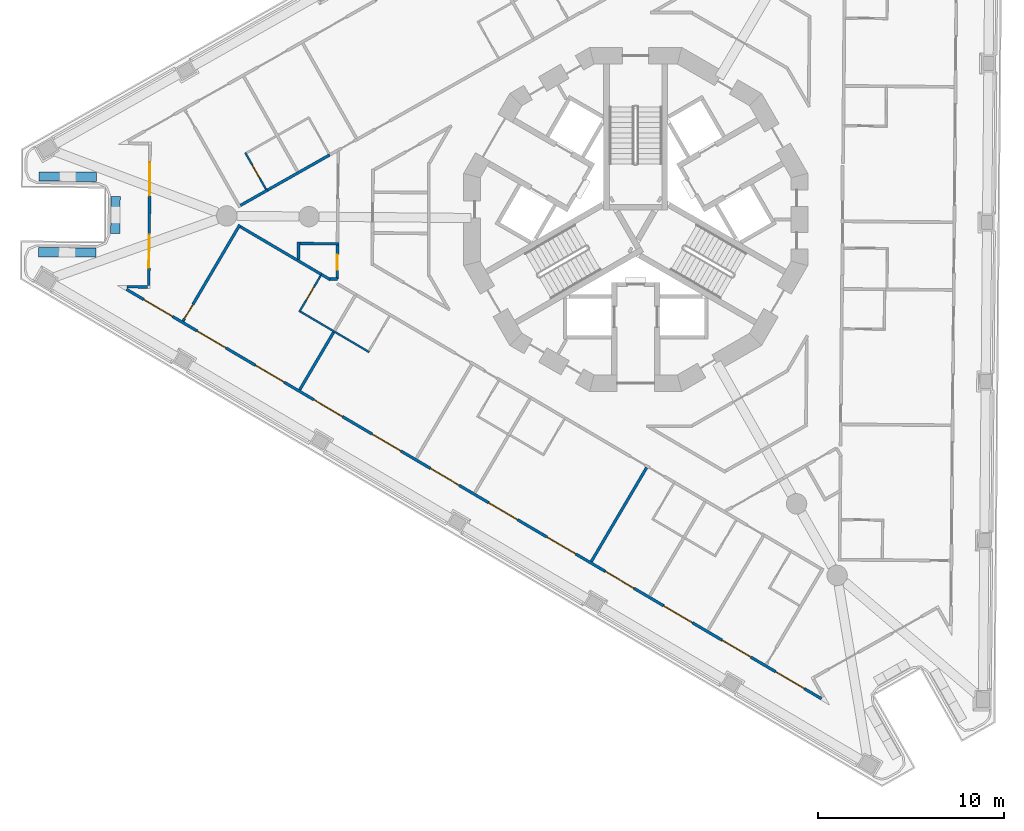
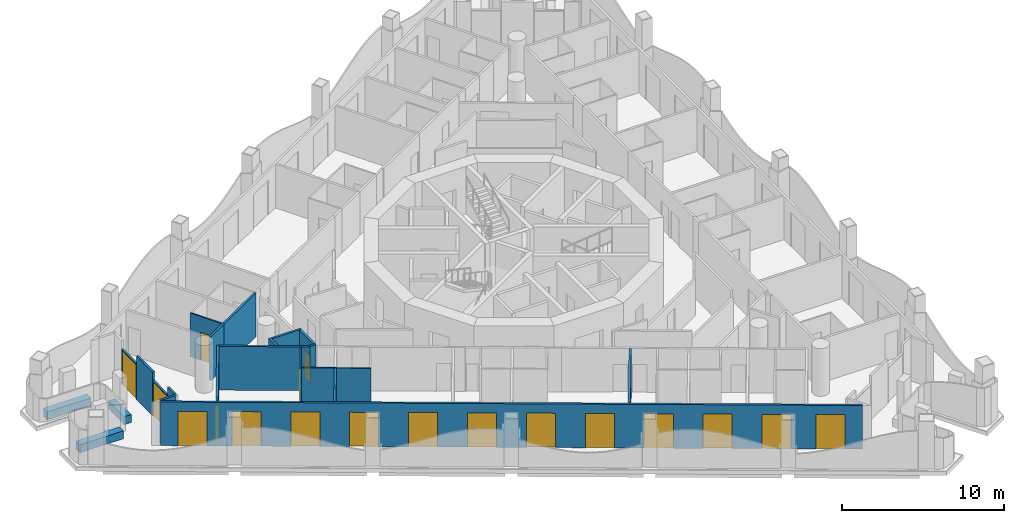
# One storey, part 2 of 17: 23 walls, 18 doors, 18 openings.
"""IFC4 building model written with IfcOpenShell, lengths in metres."""

from ifc_helpers import new_model, si_unit, direction, frame, frame_2d, origin, place, context, subcontext, project, spatial, polyline, rectangle, outline, extrude, material, layer, layer_set, type_object, element, fill, save


model = new_model("IFC4")

# Units and contexts
model_context = context("Model", 3, precision=1e-05, world=origin(), true_north=direction((0.0, 1.0)))
body_context = subcontext(model_context, "Body", "Model", "MODEL_VIEW")
ifc_project = project(units=[si_unit("LENGTHUNIT", "METRE"), si_unit("AREAUNIT", "SQUARE_METRE"), si_unit("VOLUMEUNIT", "CUBIC_METRE"), si_unit("PLANEANGLEUNIT", "RADIAN"), si_unit("MASSUNIT", "GRAM", prefix="KILO")], contexts=[model_context])

# Site, building, storey
site_placement = place(None, origin())
site = spatial("IfcSite", under=ifc_project, at=site_placement, CompositionType="ELEMENT")
building_placement = place(site_placement, origin())
building = spatial("IfcBuilding", under=site, at=building_placement, Name="Trine Commons Tower", CompositionType="ELEMENT")
storey_placement = place(building_placement, frame((0.0, 0.0, 168.300048828125)))
storey = spatial("IfcBuildingStorey", under=building, at=storey_placement, Name="L43", CompositionType="ELEMENT", Elevation=168.300048828125)

# Walls
ifc_material_1 = material(Name="Aluminium-framed insulated wall panel", Category="aluminium")
ifc_layer_1 = layer(ifc_material_1, 0.14990234375)
ifc_layer_set_1 = layer_set([ifc_layer_1], Name="Aluminium-framed insulated wall panel")
wall_type_1 = type_object("IfcWallType", Name="Glazed frame wall 150, EI 60", PredefinedType="SOLIDWALL", material=ifc_layer_set_1)
wall_1_placement = place(storey_placement, frame((52.447265625, 58.875244140625, 0.0), z_axis=(0.0, 0.0, 1.0), x_axis=(0.999962043845, -0.008712684354, 0.0)))
element("IfcWall", 1, at=wall_1_placement, inside=storey, type_object=wall_type_1, Name="Glazed frame wall R1", PredefinedType="SOLIDWALL", context=body_context, shape_type="SweptSolid", body=[
    extrude(outline(polyline([(0.1494140625, 0.074951171875), (0.1494140625, -0.074951171875), (1.235107421875, -0.074951171875), (1.235107421875, 0.074951171875), (0.1494140625, 0.074951171875)])), origin(), (0.0, 0.0, 1.0), 3.300048828125),
])
wall_2_placement = place(storey_placement, frame((53.7568359375, 58.828857421875, 0.0), z_axis=(0.0, 0.0, 1.0), x_axis=(0.008788723053, 0.999961378428, 0.0)))
element("IfcWall", 2, at=wall_2_placement, inside=storey, type_object=wall_type_1, Name="Glazed frame wall P1.1", PredefinedType="SOLIDWALL", context=body_context, shape_type="SweptSolid", body=[
    extrude(outline(polyline([(0.110107421875, -0.074951171875), (1.0, -0.074951171875), (1.0, 0.074951171875), (0.110107421875, 0.074951171875), (0.110107421875, -0.074951171875)])), origin(), (0.0, 0.0, 1.0), 3.300048828125),
])

# Wall, opening, door
wall_3_placement = place(storey_placement, frame((53.765625, 59.828857421875, 0.0), z_axis=(0.0, 0.0, 1.0), x_axis=(0.008737780017, 0.999961824872, 0.0)))
wall_3 = element("IfcWall", 3, at=wall_3_placement, inside=storey, type_object=wall_type_1, Name="Glazed frame wall P1.2", PredefinedType="SOLIDWALL", context=body_context, shape_type="SweptSolid", body=[
    extrude(outline(polyline([(0.0, -0.074951171875), (1.89990234375, -0.074951171875), (1.89990234375, 0.074951171875), (0.0, 0.074951171875), (0.0, -0.074951171875)])), origin(), (0.0, 0.0, 1.0), 2.64990234375),
])
opening_1_placement = place(wall_3_placement, frame((0.050048828125, 0.0, 0.0)))
opening_1 = element("IfcOpeningElement", 4, at=opening_1_placement, cuts=wall_3, Name="Opening BD-5P1-01", PredefinedType="OPENING", context=body_context, shape_type="SweptSolid", body=[
    extrude(rectangle(XDim=1.800048828125, YDim=2.60009765625, at=frame_2d((0.89990234375, 1.300048828125))), frame((0.0, 0.0849609375, 0.0), z_axis=(0.0, -1.0, 0.0), x_axis=(1.0, 0.0, 0.0)), (0.0, 0.0, 1.0), 0.169921875),
])
ifc_material_2 = material(Name="Anodised aluminium frame with double glazing", Category="aluminium")
door_type_1 = type_object("IfcDoorType", Name="Sliding loggia door 1800x2600", OperationType="SLIDING_TO_LEFT", PredefinedType="DOOR", material=ifc_material_2)
door_1_placement = place(opening_1_placement, origin())
door_1 = element("IfcDoor", 5, at=door_1_placement, inside=storey, type_object=door_type_1, Name="Loggia door P1 1", OperationType="SLIDING_TO_LEFT", OverallHeight=2.60009765625, OverallWidth=1.800048828125, PredefinedType="DOOR", context=body_context, shape_type="SweptSolid", body=[
    extrude(rectangle(XDim=1.800048828125, YDim=2.60009765625, at=frame_2d((0.89990234375, 1.300048828125))), frame((0.0, 0.02490234375, 0.0), z_axis=(0.0, -1.0, 0.0), x_axis=(1.0, 0.0, 0.0)), (0.0, 0.0, 1.0), 0.050048828125),
])
fill(opening_1, door_1)

# Wall
wall_4_placement = place(storey_placement, frame((53.7822265625, 61.728759765625, 0.0), z_axis=(0.0, 0.0, 1.0), x_axis=(0.008788723053, 0.999961378428, 0.0)))
element("IfcWall", 6, at=wall_4_placement, inside=storey, type_object=wall_type_1, Name="Glazed frame wall P1.3", PredefinedType="SOLIDWALL", context=body_context, shape_type="SweptSolid", body=[
    extrude(outline(polyline([(0.0, -0.074951171875), (2.0, -0.074951171875), (2.0, 0.074951171875), (0.0, 0.074951171875), (0.0, -0.074951171875)])), origin(), (0.0, 0.0, 1.0), 3.300048828125),
])

# Wall, opening, door
wall_5_placement = place(storey_placement, frame((53.7998046875, 63.728759765625, 0.0), z_axis=(0.0, 0.0, 1.0), x_axis=(0.008609292847, 0.999962939352, 0.0)))
wall_5 = element("IfcWall", 7, at=wall_5_placement, inside=storey, type_object=wall_type_1, Name="Glazed frame wall P1.4", PredefinedType="SOLIDWALL", context=body_context, shape_type="SweptSolid", body=[
    extrude(outline(polyline([(0.0, -0.074951171875), (1.89990234375, -0.074951171875), (1.89990234375, 0.074951171875), (0.0, 0.074951171875), (0.0, -0.074951171875)])), origin(), (0.0, 0.0, 1.0), 2.64990234375),
])
opening_2_placement = place(wall_5_placement, frame((0.050048828125, 0.0, 0.0)))
opening_2 = element("IfcOpeningElement", 8, at=opening_2_placement, cuts=wall_5, Name="Opening BD-5P1-02", PredefinedType="OPENING", context=body_context, shape_type="SweptSolid", body=[
    extrude(rectangle(XDim=1.800048828125, YDim=2.60009765625, at=frame_2d((0.89990234375, 1.300048828125))), frame((0.0, 0.0849609375, 0.0), z_axis=(0.0, -1.0, 0.0), x_axis=(1.0, 0.0, 0.0)), (0.0, 0.0, 1.0), 0.169921875),
])
door_2_placement = place(opening_2_placement, origin())
door_2 = element("IfcDoor", 9, at=door_2_placement, inside=storey, type_object=door_type_1, Name="Loggia door P1 2", OperationType="SLIDING_TO_LEFT", OverallHeight=2.60009765625, OverallWidth=1.800048828125, PredefinedType="DOOR", context=body_context, shape_type="SweptSolid", body=[
    extrude(rectangle(XDim=1.800048828125, YDim=2.60009765625, at=frame_2d((0.89990234375, 1.300048828125))), frame((0.0, 0.02490234375, 0.0), z_axis=(0.0, -1.0, 0.0), x_axis=(1.0, 0.0, 0.0)), (0.0, 0.0, 1.0), 0.050048828125),
])
fill(opening_2, door_2)

# Wall, openings, doors
wall_6_placement = place(storey_placement, frame((90.139404296875, 36.59716796875, 0.0), z_axis=(0.0, 0.0, 1.0), x_axis=(-0.861630336939, 0.507536365659, 0.0)))
wall_6 = element("IfcWall", 10, at=wall_6_placement, inside=storey, type_object=wall_type_1, Name="Glazed frame wall F3", PredefinedType="SOLIDWALL", context=body_context, shape_type="SweptSolid", body=[
    extrude(outline(polyline([(0.1494140625, 0.074951171875), (0.1494140625, -0.074951171875), (43.616943359375, -0.074951171875), (43.616943359375, 0.074951171875), (0.1494140625, 0.074951171875)])), origin(), (0.0, 0.0, 1.0), 3.300048828125),
])
opening_3_placement = place(wall_6_placement, frame((1.2236328125, 0.0, 0.0)))
opening_3 = element("IfcOpeningElement", 11, at=opening_3_placement, cuts=wall_6, Name="Opening BD-5F3-01", PredefinedType="OPENING", context=body_context, shape_type="SweptSolid", body=[
    extrude(rectangle(XDim=1.800048828125, YDim=2.60009765625, at=frame_2d((0.89990234375, 1.300048828125))), frame((0.0, 0.0849609375, 0.0), z_axis=(0.0, -1.0, 0.0), x_axis=(1.0, 0.0, 0.0)), (0.0, 0.0, 1.0), 0.169921875),
])
opening_4_placement = place(wall_6_placement, frame((4.57080078125, 0.0, 0.0)))
opening_4 = element("IfcOpeningElement", 12, at=opening_4_placement, cuts=wall_6, Name="Opening BD-5F3-02", PredefinedType="OPENING", context=body_context, shape_type="SweptSolid", body=[
    extrude(rectangle(XDim=1.800048828125, YDim=2.60009765625, at=frame_2d((0.89990234375, 1.300048828125))), frame((0.0, 0.0849609375, 0.0), z_axis=(0.0, -1.0, 0.0), x_axis=(1.0, 0.0, 0.0)), (0.0, 0.0, 1.0), 0.169921875),
])
opening_5_placement = place(wall_6_placement, frame((8.218017578125, 0.0, 0.0)))
opening_5 = element("IfcOpeningElement", 13, at=opening_5_placement, cuts=wall_6, Name="Opening BD-5F3-03", PredefinedType="OPENING", context=body_context, shape_type="SweptSolid", body=[
    extrude(rectangle(XDim=1.800048828125, YDim=2.60009765625, at=frame_2d((0.89990234375, 1.300048828125))), frame((0.0, 0.0849609375, 0.0), z_axis=(0.0, -1.0, 0.0), x_axis=(1.0, 0.0, 0.0)), (0.0, 0.0, 1.0), 0.169921875),
])
opening_6_placement = place(wall_6_placement, frame((11.865234375, 0.0, 0.0)))
opening_6 = element("IfcOpeningElement", 14, at=opening_6_placement, cuts=wall_6, Name="Opening BD-5F3-04", PredefinedType="OPENING", context=body_context, shape_type="SweptSolid", body=[
    extrude(rectangle(XDim=1.800048828125, YDim=2.60009765625, at=frame_2d((0.89990234375, 1.300048828125))), frame((0.0, 0.0849609375, 0.0), z_axis=(0.0, -1.0, 0.0), x_axis=(1.0, 0.0, 0.0)), (0.0, 0.0, 1.0), 0.169921875),
])
opening_7_placement = place(wall_6_placement, frame((15.512451171875, 0.0, 0.0)))
opening_7 = element("IfcOpeningElement", 15, at=opening_7_placement, cuts=wall_6, Name="Opening BD-5F3-05", PredefinedType="OPENING", context=body_context, shape_type="SweptSolid", body=[
    extrude(rectangle(XDim=1.800048828125, YDim=2.60009765625, at=frame_2d((0.89990234375, 1.300048828125))), frame((0.0, 0.0849609375, 0.0), z_axis=(0.0, -1.0, 0.0), x_axis=(1.0, 0.0, 0.0)), (0.0, 0.0, 1.0), 0.169921875),
])
opening_8_placement = place(wall_6_placement, frame((19.15966796875, 0.0, 0.0)))
opening_8 = element("IfcOpeningElement", 16, at=opening_8_placement, cuts=wall_6, Name="Opening BD-5F3-06", PredefinedType="OPENING", context=body_context, shape_type="SweptSolid", body=[
    extrude(rectangle(XDim=1.800048828125, YDim=2.60009765625, at=frame_2d((0.89990234375, 1.300048828125))), frame((0.0, 0.0849609375, 0.0), z_axis=(0.0, -1.0, 0.0), x_axis=(1.0, 0.0, 0.0)), (0.0, 0.0, 1.0), 0.169921875),
])
opening_9_placement = place(wall_6_placement, frame((22.806884765625, 0.0, 0.0)))
opening_9 = element("IfcOpeningElement", 17, at=opening_9_placement, cuts=wall_6, Name="Opening BD-5F3-07", PredefinedType="OPENING", context=body_context, shape_type="SweptSolid", body=[
    extrude(rectangle(XDim=1.800048828125, YDim=2.60009765625, at=frame_2d((0.89990234375, 1.300048828125))), frame((0.0, 0.0849609375, 0.0), z_axis=(0.0, -1.0, 0.0), x_axis=(1.0, 0.0, 0.0)), (0.0, 0.0, 1.0), 0.169921875),
])
opening_10_placement = place(wall_6_placement, frame((26.4541015625, 0.0, 0.0)))
opening_10 = element("IfcOpeningElement", 18, at=opening_10_placement, cuts=wall_6, Name="Opening BD-5F3-08", PredefinedType="OPENING", context=body_context, shape_type="SweptSolid", body=[
    extrude(rectangle(XDim=1.800048828125, YDim=2.60009765625, at=frame_2d((0.89990234375, 1.300048828125))), frame((0.0, 0.0849609375, 0.0), z_axis=(0.0, -1.0, 0.0), x_axis=(1.0, 0.0, 0.0)), (0.0, 0.0, 1.0), 0.169921875),
])
opening_11_placement = place(wall_6_placement, frame((30.101318359375, 0.0, 0.0)))
opening_11 = element("IfcOpeningElement", 19, at=opening_11_placement, cuts=wall_6, Name="Opening BD-5F3-09", PredefinedType="OPENING", context=body_context, shape_type="SweptSolid", body=[
    extrude(rectangle(XDim=1.800048828125, YDim=2.60009765625, at=frame_2d((0.89990234375, 1.300048828125))), frame((0.0, 0.0849609375, 0.0), z_axis=(0.0, -1.0, 0.0), x_axis=(1.0, 0.0, 0.0)), (0.0, 0.0, 1.0), 0.169921875),
])
opening_12_placement = place(wall_6_placement, frame((33.748291015625, 0.0, 0.0)))
opening_12 = element("IfcOpeningElement", 20, at=opening_12_placement, cuts=wall_6, Name="Opening BD-5F3-10", PredefinedType="OPENING", context=body_context, shape_type="SweptSolid", body=[
    extrude(rectangle(XDim=1.800048828125, YDim=2.60009765625, at=frame_2d((0.89990234375, 1.300048828125))), frame((0.0, 0.0849609375, 0.0), z_axis=(0.0, -1.0, 0.0), x_axis=(1.0, 0.0, 0.0)), (0.0, 0.0, 1.0), 0.169921875),
])
opening_13_placement = place(wall_6_placement, frame((37.3955078125, 0.0, 0.0)))
opening_13 = element("IfcOpeningElement", 21, at=opening_13_placement, cuts=wall_6, Name="Opening BD-5F3-11", PredefinedType="OPENING", context=body_context, shape_type="SweptSolid", body=[
    extrude(rectangle(XDim=1.800048828125, YDim=2.60009765625, at=frame_2d((0.89990234375, 1.300048828125))), frame((0.0, 0.0849609375, 0.0), z_axis=(0.0, -1.0, 0.0), x_axis=(1.0, 0.0, 0.0)), (0.0, 0.0, 1.0), 0.169921875),
])
opening_14_placement = place(wall_6_placement, frame((40.742919921875, 0.0, 0.0)))
opening_14 = element("IfcOpeningElement", 22, at=opening_14_placement, cuts=wall_6, Name="Opening BD-5F3-12", PredefinedType="OPENING", context=body_context, shape_type="SweptSolid", body=[
    extrude(rectangle(XDim=1.800048828125, YDim=2.60009765625, at=frame_2d((0.89990234375, 1.300048828125))), frame((0.0, 0.0849609375, 0.0), z_axis=(0.0, -1.0, 0.0), x_axis=(1.0, 0.0, 0.0)), (0.0, 0.0, 1.0), 0.169921875),
])
door_3_placement = place(opening_3_placement, origin())
door_3 = element("IfcDoor", 23, at=door_3_placement, inside=storey, type_object=door_type_1, Name="Loggia door F3 1", OperationType="SLIDING_TO_LEFT", OverallHeight=2.60009765625, OverallWidth=1.800048828125, PredefinedType="DOOR", context=body_context, shape_type="SweptSolid", body=[
    extrude(rectangle(XDim=1.800048828125, YDim=2.60009765625, at=frame_2d((0.89990234375, 1.300048828125))), frame((0.0, 0.02490234375, 0.0), z_axis=(0.0, -1.0, 0.0), x_axis=(1.0, 0.0, 0.0)), (0.0, 0.0, 1.0), 0.050048828125),
])
fill(opening_3, door_3)
door_4_placement = place(opening_4_placement, origin())
door_4 = element("IfcDoor", 24, at=door_4_placement, inside=storey, type_object=door_type_1, Name="Loggia door F3 2", OperationType="SLIDING_TO_LEFT", OverallHeight=2.60009765625, OverallWidth=1.800048828125, PredefinedType="DOOR", context=body_context, shape_type="SweptSolid", body=[
    extrude(rectangle(XDim=1.800048828125, YDim=2.60009765625, at=frame_2d((0.89990234375, 1.300048828125))), frame((0.0, 0.02490234375, 0.0), z_axis=(0.0, -1.0, 0.0), x_axis=(1.0, 0.0, 0.0)), (0.0, 0.0, 1.0), 0.050048828125),
])
fill(opening_4, door_4)
door_5_placement = place(opening_5_placement, origin())
door_5 = element("IfcDoor", 25, at=door_5_placement, inside=storey, type_object=door_type_1, Name="Loggia door F3 3", OperationType="SLIDING_TO_LEFT", OverallHeight=2.60009765625, OverallWidth=1.800048828125, PredefinedType="DOOR", context=body_context, shape_type="SweptSolid", body=[
    extrude(rectangle(XDim=1.800048828125, YDim=2.60009765625, at=frame_2d((0.89990234375, 1.300048828125))), frame((0.0, 0.02490234375, 0.0), z_axis=(0.0, -1.0, 0.0), x_axis=(1.0, 0.0, 0.0)), (0.0, 0.0, 1.0), 0.050048828125),
])
fill(opening_5, door_5)
door_6_placement = place(opening_6_placement, origin())
door_6 = element("IfcDoor", 26, at=door_6_placement, inside=storey, type_object=door_type_1, Name="Loggia door F3 4", OperationType="SLIDING_TO_LEFT", OverallHeight=2.60009765625, OverallWidth=1.800048828125, PredefinedType="DOOR", context=body_context, shape_type="SweptSolid", body=[
    extrude(rectangle(XDim=1.800048828125, YDim=2.60009765625, at=frame_2d((0.89990234375, 1.300048828125))), frame((0.0, 0.02490234375, 0.0), z_axis=(0.0, -1.0, 0.0), x_axis=(1.0, 0.0, 0.0)), (0.0, 0.0, 1.0), 0.050048828125),
])
fill(opening_6, door_6)
door_7_placement = place(opening_7_placement, origin())
door_7 = element("IfcDoor", 27, at=door_7_placement, inside=storey, type_object=door_type_1, Name="Loggia door F3 5", OperationType="SLIDING_TO_LEFT", OverallHeight=2.60009765625, OverallWidth=1.800048828125, PredefinedType="DOOR", context=body_context, shape_type="SweptSolid", body=[
    extrude(rectangle(XDim=1.800048828125, YDim=2.60009765625, at=frame_2d((0.89990234375, 1.300048828125))), frame((0.0, 0.02490234375, 0.0), z_axis=(0.0, -1.0, 0.0), x_axis=(1.0, 0.0, 0.0)), (0.0, 0.0, 1.0), 0.050048828125),
])
fill(opening_7, door_7)
door_8_placement = place(opening_8_placement, origin())
door_8 = element("IfcDoor", 28, at=door_8_placement, inside=storey, type_object=door_type_1, Name="Loggia door F3 6", OperationType="SLIDING_TO_LEFT", OverallHeight=2.60009765625, OverallWidth=1.800048828125, PredefinedType="DOOR", context=body_context, shape_type="SweptSolid", body=[
    extrude(rectangle(XDim=1.800048828125, YDim=2.60009765625, at=frame_2d((0.89990234375, 1.300048828125))), frame((0.0, 0.02490234375, 0.0), z_axis=(0.0, -1.0, 0.0), x_axis=(1.0, 0.0, 0.0)), (0.0, 0.0, 1.0), 0.050048828125),
])
fill(opening_8, door_8)
door_9_placement = place(opening_9_placement, origin())
door_9 = element("IfcDoor", 29, at=door_9_placement, inside=storey, type_object=door_type_1, Name="Loggia door F3 7", OperationType="SLIDING_TO_LEFT", OverallHeight=2.60009765625, OverallWidth=1.800048828125, PredefinedType="DOOR", context=body_context, shape_type="SweptSolid", body=[
    extrude(rectangle(XDim=1.800048828125, YDim=2.60009765625, at=frame_2d((0.89990234375, 1.300048828125))), frame((0.0, 0.02490234375, 0.0), z_axis=(0.0, -1.0, 0.0), x_axis=(1.0, 0.0, 0.0)), (0.0, 0.0, 1.0), 0.050048828125),
])
fill(opening_9, door_9)
door_10_placement = place(opening_10_placement, origin())
door_10 = element("IfcDoor", 30, at=door_10_placement, inside=storey, type_object=door_type_1, Name="Loggia door F3 8", OperationType="SLIDING_TO_LEFT", OverallHeight=2.60009765625, OverallWidth=1.800048828125, PredefinedType="DOOR", context=body_context, shape_type="SweptSolid", body=[
    extrude(rectangle(XDim=1.800048828125, YDim=2.60009765625, at=frame_2d((0.89990234375, 1.300048828125))), frame((0.0, 0.02490234375, 0.0), z_axis=(0.0, -1.0, 0.0), x_axis=(1.0, 0.0, 0.0)), (0.0, 0.0, 1.0), 0.050048828125),
])
fill(opening_10, door_10)
door_11_placement = place(opening_11_placement, origin())
door_11 = element("IfcDoor", 31, at=door_11_placement, inside=storey, type_object=door_type_1, Name="Loggia door F3 9", OperationType="SLIDING_TO_LEFT", OverallHeight=2.60009765625, OverallWidth=1.800048828125, PredefinedType="DOOR", context=body_context, shape_type="SweptSolid", body=[
    extrude(rectangle(XDim=1.800048828125, YDim=2.60009765625, at=frame_2d((0.89990234375, 1.300048828125))), frame((0.0, 0.02490234375, 0.0), z_axis=(0.0, -1.0, 0.0), x_axis=(1.0, 0.0, 0.0)), (0.0, 0.0, 1.0), 0.050048828125),
])
fill(opening_11, door_11)
door_12_placement = place(opening_12_placement, origin())
door_12 = element("IfcDoor", 32, at=door_12_placement, inside=storey, type_object=door_type_1, Name="Loggia door F3 10", OperationType="SLIDING_TO_LEFT", OverallHeight=2.60009765625, OverallWidth=1.800048828125, PredefinedType="DOOR", context=body_context, shape_type="SweptSolid", body=[
    extrude(rectangle(XDim=1.800048828125, YDim=2.60009765625, at=frame_2d((0.89990234375, 1.300048828125))), frame((0.0, 0.02490234375, 0.0), z_axis=(0.0, -1.0, 0.0), x_axis=(1.0, 0.0, 0.0)), (0.0, 0.0, 1.0), 0.050048828125),
])
fill(opening_12, door_12)
door_13_placement = place(opening_13_placement, origin())
door_13 = element("IfcDoor", 33, at=door_13_placement, inside=storey, type_object=door_type_1, Name="Loggia door F3 11", OperationType="SLIDING_TO_LEFT", OverallHeight=2.60009765625, OverallWidth=1.800048828125, PredefinedType="DOOR", context=body_context, shape_type="SweptSolid", body=[
    extrude(rectangle(XDim=1.800048828125, YDim=2.60009765625, at=frame_2d((0.89990234375, 1.300048828125))), frame((0.0, 0.02490234375, 0.0), z_axis=(0.0, -1.0, 0.0), x_axis=(1.0, 0.0, 0.0)), (0.0, 0.0, 1.0), 0.050048828125),
])
fill(opening_13, door_13)
door_14_placement = place(opening_14_placement, origin())
door_14 = element("IfcDoor", 34, at=door_14_placement, inside=storey, type_object=door_type_1, Name="Loggia door F3 12", OperationType="SLIDING_TO_LEFT", OverallHeight=2.60009765625, OverallWidth=1.800048828125, PredefinedType="DOOR", context=body_context, shape_type="SweptSolid", body=[
    extrude(rectangle(XDim=1.800048828125, YDim=2.60009765625, at=frame_2d((0.89990234375, 1.300048828125))), frame((0.0, 0.02490234375, 0.0), z_axis=(0.0, -1.0, 0.0), x_axis=(1.0, 0.0, 0.0)), (0.0, 0.0, 1.0), 0.050048828125),
])
fill(opening_14, door_14)

# Walls
ifc_material_3 = material(Name="Planter trough, precast concrete C40/50", Category="concrete")
ifc_layer_2 = layer(ifc_material_3, 0.5)
ifc_layer_set_2 = layer_set([ifc_layer_2], Name="Planter trough, precast concrete C40/50")
wall_type_2 = type_object("IfcWallType", Name="Planter trough 500x600", PredefinedType="PARAPET", material=ifc_layer_set_2)
wall_7_placement = place(storey_placement, frame((47.808349609375, 60.74072265625, 0.0), z_axis=(0.0, 0.0, 1.0), x_axis=(0.99996247431, -0.008663138708, 0.0)))
element("IfcWall", 35, at=wall_7_placement, inside=storey, type_object=wall_type_2, Name="Planter 1", PredefinedType="PARAPET", context=body_context, shape_type="SweptSolid", body=[
    extrude(rectangle(XDim=3.099853515625, YDim=0.5, at=frame_2d((1.5498046875, 0.0))), origin(), (0.0, 0.0, 1.0), 0.599853515625),
])
wall_8_placement = place(storey_placement, frame((51.957275390625, 61.74462890625, 0.0), z_axis=(0.0, 0.0, 1.0), x_axis=(0.008666666688, 0.999962443739, 0.0)))
element("IfcWall", 36, at=wall_8_placement, inside=storey, type_object=wall_type_2, Name="Planter 2", PredefinedType="PARAPET", context=body_context, shape_type="SweptSolid", body=[
    extrude(rectangle(XDim=2.0, YDim=0.5, at=frame_2d((1.0, 0.0))), origin(), (0.0, 0.0, 1.0), 0.599853515625),
])
wall_9_placement = place(storey_placement, frame((50.94384765625, 64.793701171875, 0.0), z_axis=(0.0, 0.0, 1.0), x_axis=(-0.999961788962, 0.008741888523, 0.0)))
element("IfcWall", 37, at=wall_9_placement, inside=storey, type_object=wall_type_2, Name="Planter 3", PredefinedType="PARAPET", context=body_context, shape_type="SweptSolid", body=[
    extrude(rectangle(XDim=3.099853515625, YDim=0.5, at=frame_2d((1.5498046875, 0.0))), origin(), (0.0, 0.0, 1.0), 0.599853515625),
])

# Wall, opening, door
ifc_material_4 = material(Name="Gypsum plasterboard on steel stud", Category="steel")
ifc_layer_3 = layer(ifc_material_4, 0.14990234375)
ifc_layer_set_3 = layer_set([ifc_layer_3], Name="Gypsum plasterboard on steel stud")
wall_type_3 = type_object("IfcWallType", Name="Unit and corridor wall 150 mm, EI 60", PredefinedType="PARTITIONING", material=ifc_layer_set_3)
wall_10_placement = place(storey_placement, frame((55.609375, 57.0234375, 0.0), z_axis=(0.0, 0.0, 1.0), x_axis=(0.507512364089, 0.861644474419, 0.0)))
wall_10 = element("IfcWall", 38, at=wall_10_placement, inside=storey, type_object=wall_type_3, Name="Partition 001", PredefinedType="PARTITIONING", context=body_context, shape_type="SweptSolid", body=[
    extrude(rectangle(XDim=6.024658203125, YDim=0.14990234375, at=frame_2d((3.01220703125, 0.0))), origin(), (0.0, 0.0, 1.0), 3.300048828125),
])
opening_15_placement = place(wall_10_placement, frame((0.14990234375, 0.0, 0.0)))
opening_15 = element("IfcOpeningElement", 39, at=opening_15_placement, cuts=wall_10, Name="Opening D-5A25", PredefinedType="OPENING", context=body_context, shape_type="SweptSolid", body=[
    extrude(rectangle(XDim=0.89990234375, YDim=2.10009765625, at=frame_2d((0.449951171875, 1.050048828125))), frame((0.0, 0.0849609375, 0.0), z_axis=(0.0, -1.0, 0.0), x_axis=(1.0, 0.0, 0.0)), (0.0, 0.0, 1.0), 0.169921875),
])
ifc_material_5 = material(Name="Timber fire door set", Category="wood")
door_type_2 = type_object("IfcDoorType", Name="Bedroom door 900 x 2100, FD30S", OperationType="NOTDEFINED", PredefinedType="DOOR", material=ifc_material_5)
door_15_placement = place(opening_15_placement, frame((0.89990234375, 0.0, 0.0), z_axis=(0.0, 0.0, 1.0), x_axis=(-1.0, 0.0, 0.0)))
door_15 = element("IfcDoor", 40, at=door_15_placement, inside=storey, type_object=door_type_2, Name="Door D-5A25", OperationType="SINGLE_SWING_RIGHT", OverallHeight=2.10009765625, OverallWidth=0.89990234375, PredefinedType="DOOR", context=body_context, shape_type="SweptSolid", body=[
    extrude(rectangle(XDim=0.89990234375, YDim=2.10009765625, at=frame_2d((0.449951171875, 1.050048828125))), frame((0.0, 0.02490234375, 0.0), z_axis=(0.0, -1.0, 0.0), x_axis=(1.0, 0.0, 0.0)), (0.0, 0.0, 1.0), 0.050048828125),
])
fill(opening_15, door_15)

# Walls
wall_11_placement = place(storey_placement, frame((58.693603515625, 62.11181640625, 0.0), z_axis=(0.0, 0.0, 1.0), x_axis=(0.861647069411, -0.507507958336, 0.0)))
element("IfcWall", 41, at=wall_11_placement, inside=storey, type_object=wall_type_3, Name="Partition 003", PredefinedType="PARTITIONING", context=body_context, shape_type="SweptSolid", body=[
    extrude(rectangle(XDim=5.0732421875, YDim=0.14990234375, at=frame_2d((2.53662109375, 0.0))), origin(), (0.0, 0.0, 1.0), 3.300048828125),
])
wall_12_placement = place(storey_placement, frame((58.704345703125, 63.260009765625, 0.0), z_axis=(0.0, 0.0, 1.0), x_axis=(0.870190857822, 0.492714796778, 0.0)))
element("IfcWall", 42, at=wall_12_placement, inside=storey, type_object=wall_type_3, Name="Partition 004", PredefinedType="PARTITIONING", context=body_context, shape_type="SweptSolid", body=[
    extrude(rectangle(XDim=1.67578125, YDim=0.14990234375, at=frame_2d((0.837890625, 0.0))), origin(), (0.0, 0.0, 1.0), 3.300048828125),
])
wall_13_placement = place(storey_placement, frame((60.113037109375, 64.056884765625, 0.0), z_axis=(0.0, 0.0, 1.0), x_axis=(0.870300828713, 0.492520524995, 0.0)))
element("IfcWall", 43, at=wall_13_placement, inside=storey, type_object=wall_type_3, Name="Partition 008", PredefinedType="PARTITIONING", context=body_context, shape_type="SweptSolid", body=[
    extrude(rectangle(XDim=3.906494140625, YDim=0.14990234375, at=frame_2d((1.953125, 0.0))), origin(), (0.0, 0.0, 1.0), 3.300048828125),
])
wall_14_placement = place(storey_placement, frame((61.82568359375, 60.343017578125, 0.0), z_axis=(0.0, 0.0, 1.0), x_axis=(0.008337386084, 0.999965243393, 0.0)))
element("IfcWall", 44, at=wall_14_placement, inside=storey, type_object=wall_type_3, Name="Partition 010", PredefinedType="PARTITIONING", context=body_context, shape_type="SweptSolid", body=[
    extrude(rectangle(XDim=0.93701171875, YDim=0.14990234375, at=frame_2d((0.468505859375, 0.0))), origin(), (0.0, 0.0, 1.0), 3.300048828125),
])
wall_15_placement = place(storey_placement, frame((61.907958984375, 61.204345703125, 0.0), z_axis=(0.0, 0.0, 1.0), x_axis=(0.999962964822, -0.008606333961, 0.0)))
element("IfcWall", 45, at=wall_15_placement, inside=storey, type_object=wall_type_3, Name="Partition 011", PredefinedType="PARTITIONING", context=body_context, shape_type="SweptSolid", body=[
    extrude(rectangle(XDim=2.09912109375, YDim=0.14990234375, at=frame_2d((1.049560546875, 0.0))), origin(), (0.0, 0.0, 1.0), 3.300048828125),
])
wall_16_placement = place(storey_placement, frame((61.894287109375, 53.321533203125, 0.0), z_axis=(0.0, 0.0, 1.0), x_axis=(0.507657247854, 0.86155912084, 0.0)))
element("IfcWall", 46, at=wall_16_placement, inside=storey, type_object=wall_type_3, Name="Partition 012", PredefinedType="PARTITIONING", context=body_context, shape_type="SweptSolid", body=[
    extrude(rectangle(XDim=3.599609375, YDim=0.14990234375, at=frame_2d((1.7998046875, 0.0))), origin(), (0.0, 0.0, 1.0), 3.300048828125),
])
wall_17_placement = place(storey_placement, frame((63.05908203125, 59.541015625, 0.0), z_axis=(0.0, 0.0, 1.0), x_axis=(0.861380392191, -0.507960451167, 0.0)))
element("IfcWall", 47, at=wall_17_placement, inside=storey, type_object=wall_type_3, Name="Partition 017", PredefinedType="PARTITIONING", context=body_context, shape_type="SweptSolid", body=[
    extrude(rectangle(XDim=0.567138671875, YDim=0.14990234375, at=frame_2d((0.28369140625, 0.0))), origin(), (0.0, 0.0, 1.0), 3.300048828125),
])
wall_18_placement = place(storey_placement, frame((63.537109375, 59.29052734375, 0.0), z_axis=(0.0, 0.0, 1.0), x_axis=(0.99995807265, -0.009157125207, 0.0)))
element("IfcWall", 48, at=wall_18_placement, inside=storey, type_object=wall_type_3, Name="Partition 018", PredefinedType="PARTITIONING", context=body_context, shape_type="SweptSolid", body=[
    extrude(rectangle(XDim=0.39990234375, YDim=0.14990234375, at=frame_2d((0.199951171875, 0.0))), origin(), (0.0, 0.0, 1.0), 3.300048828125),
])

# Wall, opening, door
wall_19_placement = place(storey_placement, frame((63.916015625, 59.282958984375, 0.0), z_axis=(0.0, 0.0, 1.0), x_axis=(0.008923459297, 0.999960185144, 0.0)))
wall_19 = element("IfcWall", 49, at=wall_19_placement, inside=storey, type_object=wall_type_3, Name="Partition 022", PredefinedType="PARTITIONING", context=body_context, shape_type="SweptSolid", body=[
    extrude(rectangle(XDim=1.8330078125, YDim=0.14990234375, at=frame_2d((0.91650390625, 0.0))), origin(), (0.0, 0.0, 1.0), 3.300048828125),
])
opening_16_placement = place(wall_19_placement, frame((0.5185546875, 0.0, 0.0)))
opening_16 = element("IfcOpeningElement", 50, at=opening_16_placement, cuts=wall_19, Name="Opening D-5A05", PredefinedType="OPENING", context=body_context, shape_type="SweptSolid", body=[
    extrude(rectangle(XDim=0.800048828125, YDim=2.10009765625, at=frame_2d((0.39990234375, 1.050048828125))), frame((0.0, 0.0849609375, 0.0), z_axis=(0.0, -1.0, 0.0), x_axis=(1.0, 0.0, 0.0)), (0.0, 0.0, 1.0), 0.169921875),
])
ifc_material_6 = material(Name="Painted timber", Category="wood")
door_type_3 = type_object("IfcDoorType", Name="Toilet door 800 x 2100, NOT RATED", OperationType="NOTDEFINED", PredefinedType="DOOR", material=ifc_material_6)
door_16_placement = place(opening_16_placement, origin())
door_16 = element("IfcDoor", 51, at=door_16_placement, inside=storey, type_object=door_type_3, Name="Door D-5A05", OperationType="SINGLE_SWING_RIGHT", OverallHeight=2.10009765625, OverallWidth=0.800048828125, PredefinedType="DOOR", context=body_context, shape_type="SweptSolid", body=[
    extrude(rectangle(XDim=0.800048828125, YDim=2.10009765625, at=frame_2d((0.39990234375, 1.050048828125))), frame((0.0, 0.02490234375, 0.0), z_axis=(0.0, -1.0, 0.0), x_axis=(1.0, 0.0, 0.0)), (0.0, 0.0, 1.0), 0.050048828125),
])
fill(opening_16, door_16)

# Wall
wall_20_placement = place(storey_placement, frame((77.607421875, 44.06640625, 0.0), z_axis=(0.0, 0.0, 1.0), x_axis=(0.507572206676, 0.861609224074, 0.0)))
element("IfcWall", 52, at=wall_20_placement, inside=storey, type_object=wall_type_3, Name="Partition 061", PredefinedType="PARTITIONING", context=body_context, shape_type="SweptSolid", body=[
    extrude(rectangle(XDim=5.8740234375, YDim=0.14990234375, at=frame_2d((2.93701171875, 0.0))), origin(), (0.0, 0.0, 1.0), 3.300048828125),
])

# Wall, opening, door
ifc_layer_4 = layer(ifc_material_4, 0.10009765625)
ifc_layer_set_4 = layer_set([ifc_layer_4], Name="Gypsum plasterboard on steel stud")
wall_type_4 = type_object("IfcWallType", Name="Unit partition 100 mm, no rating", PredefinedType="PARTITIONING", material=ifc_layer_set_4)
wall_21_placement = place(storey_placement, frame((58.95849609375, 66.1044921875, 0.0), z_axis=(0.0, 0.0, 1.0), x_axis=(0.49250622102, -0.870308923462, 0.0)))
wall_21 = element("IfcWall", 53, at=wall_21_placement, inside=storey, type_object=wall_type_4, Name="Partition 006", PredefinedType="PARTITIONING", context=body_context, shape_type="SweptSolid", body=[
    extrude(rectangle(XDim=2.275390625, YDim=0.10009765625, at=frame_2d((1.1376953125, 0.0))), origin(), (0.0, 0.0, 1.0), 3.300048828125),
])
opening_17_placement = place(wall_21_placement, frame((0.7626953125, 0.0, 0.0)))
opening_17 = element("IfcOpeningElement", 54, at=opening_17_placement, cuts=wall_21, Name="Opening D-5A31", PredefinedType="OPENING", context=body_context, shape_type="SweptSolid", body=[
    extrude(rectangle(XDim=0.800048828125, YDim=2.10009765625, at=frame_2d((0.39990234375, 1.050048828125))), frame((0.0, 0.06005859375, 0.0), z_axis=(0.0, -1.0, 0.0), x_axis=(1.0, 0.0, 0.0)), (0.0, 0.0, 1.0), 0.1201171875),
])
door_type_4 = type_object("IfcDoorType", Name="Internal door 800 x 2100, NOT RATED", OperationType="NOTDEFINED", PredefinedType="DOOR", material=ifc_material_6)
door_17_placement = place(opening_17_placement, frame((0.800048828125, 0.0, 0.0), z_axis=(0.0, 0.0, 1.0), x_axis=(-1.0, 0.0, 0.0)))
door_17 = element("IfcDoor", 55, at=door_17_placement, inside=storey, type_object=door_type_4, Name="Door D-5A31", OperationType="SINGLE_SWING_LEFT", OverallHeight=2.10009765625, OverallWidth=0.800048828125, PredefinedType="DOOR", context=body_context, shape_type="SweptSolid", body=[
    extrude(rectangle(XDim=0.800048828125, YDim=2.10009765625, at=frame_2d((0.39990234375, 1.050048828125))), frame((0.0, 0.02490234375, 0.0), z_axis=(0.0, -1.0, 0.0), x_axis=(1.0, 0.0, 0.0)), (0.0, 0.0, 1.0), 0.050048828125),
])
fill(opening_17, door_17)

wall_22_placement = place(storey_placement, frame((61.86865234375, 57.513916015625, 0.0), z_axis=(0.0, 0.0, 1.0), x_axis=(0.50769515182, 0.861536785528, 0.0)))
wall_22 = element("IfcWall", 56, at=wall_22_placement, inside=storey, type_object=wall_type_4, Name="Partition 013", PredefinedType="PARTITIONING", context=body_context, shape_type="SweptSolid", body=[
    extrude(rectangle(XDim=2.275634765625, YDim=0.10009765625, at=frame_2d((1.1376953125, 0.0))), origin(), (0.0, 0.0, 1.0), 3.300048828125),
])
opening_18_placement = place(wall_22_placement, frame((0.7626953125, 0.0, 0.0)))
opening_18 = element("IfcOpeningElement", 57, at=opening_18_placement, cuts=wall_22, Name="Opening D-5A50", PredefinedType="OPENING", context=body_context, shape_type="SweptSolid", body=[
    extrude(rectangle(XDim=0.800048828125, YDim=2.10009765625, at=frame_2d((0.39990234375, 1.050048828125))), frame((0.0, 0.06005859375, 0.0), z_axis=(0.0, -1.0, 0.0), x_axis=(1.0, 0.0, 0.0)), (0.0, 0.0, 1.0), 0.1201171875),
])
door_18_placement = place(opening_18_placement, origin())
door_18 = element("IfcDoor", 58, at=door_18_placement, inside=storey, type_object=door_type_4, Name="Door D-5A50", OperationType="SINGLE_SWING_RIGHT", OverallHeight=2.10009765625, OverallWidth=0.800048828125, PredefinedType="DOOR", context=body_context, shape_type="SweptSolid", body=[
    extrude(rectangle(XDim=0.800048828125, YDim=2.10009765625, at=frame_2d((0.39990234375, 1.050048828125))), frame((0.0, 0.02490234375, 0.0), z_axis=(0.0, -1.0, 0.0), x_axis=(1.0, 0.0, 0.0)), (0.0, 0.0, 1.0), 0.050048828125),
])
fill(opening_18, door_18)

# Wall
wall_23_placement = place(storey_placement, frame((61.93701171875, 57.531494140625, 0.0), z_axis=(0.0, 0.0, 1.0), x_axis=(0.861687435641, -0.507439418313, 0.0)))
element("IfcWall", 59, at=wall_23_placement, inside=storey, type_object=wall_type_4, Name="Partition 014", PredefinedType="PARTITIONING", context=body_context, shape_type="SweptSolid", body=[
    extrude(rectangle(XDim=4.2998046875, YDim=0.10009765625, at=frame_2d((2.14990234375, 0.0))), origin(), (0.0, 0.0, 1.0), 3.300048828125),
])

save(model, "model.ifc")
